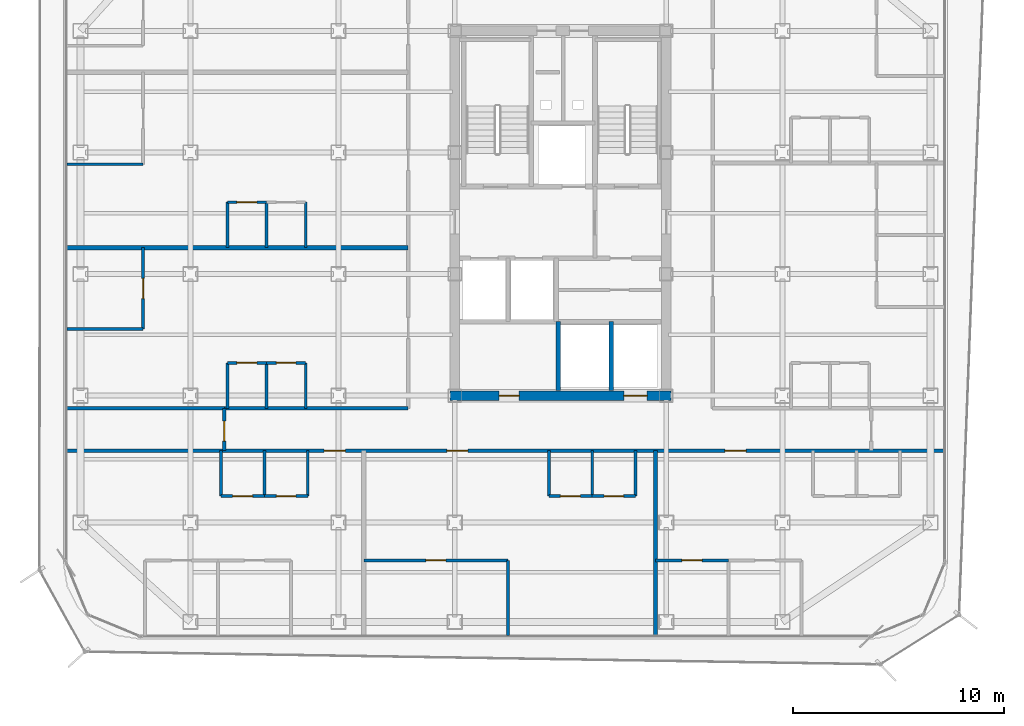
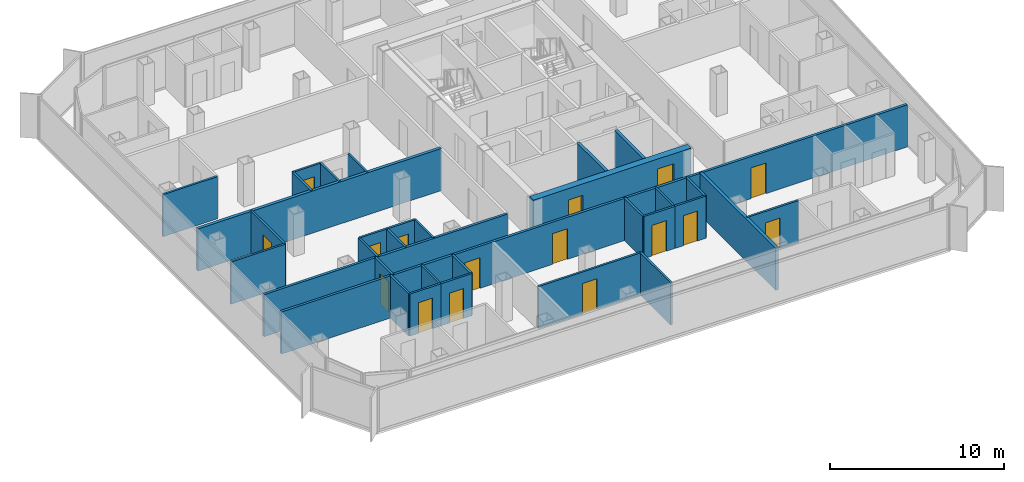
# One storey, part 10 of 16: 34 walls, 16 doors, 16 openings.
"""IFC4 building model written with IfcOpenShell, lengths in metres."""

import ifcopenshell
import ifcopenshell.guid

model = None  # the IFC model being written
_history = None  # IfcOwnerHistory: only IFC2X3 demands one
_inside = {}  # id of a spatial element -> (the spatial element, [elements in it])
_under = {}  # id of a project, library or spatial element -> (it, [spatial elements below it])
_declared = {}  # id of a project -> (the project, [libraries it declares])
_typed = {}  # id of a type object -> (the type object, [elements of that type])
_made_of = {}  # id of a material, layer set ... -> (it, [elements and type objects made of it])


def new_model(schema):
    """Start an empty IFC model of exactly this schema.

    Asked for "IFC4X3", IfcOpenShell would pick the latest addendum, in which some entities
    have other attributes; the version numbers below select the first issue.
    IFC2X3 requires an IfcOwnerHistory on every rooted entity: one is made here for all.
    """
    global model, _history
    if schema == "IFC4X3":
        model = ifcopenshell.file(schema_version=(4, 3, 0, 0))
    else:
        model = ifcopenshell.file(schema=schema)
    _inside.clear()
    _under.clear()
    _declared.clear()
    _typed.clear()
    _made_of.clear()
    _history = None
    if model.schema == "IFC2X3":
        org = make("IfcOrganization", Name="unknown")
        user = make(
            "IfcPersonAndOrganization",
            ThePerson=make("IfcPerson", FamilyName="unknown"),
            TheOrganization=org,
        )
        app = make(
            "IfcApplication",
            ApplicationDeveloper=org,
            Version="unknown",
            ApplicationFullName="unknown",
            ApplicationIdentifier="unknown",
        )
        _history = make(
            "IfcOwnerHistory",
            OwningUser=user,
            OwningApplication=app,
            ChangeAction="ADDED",
            CreationDate=0,
        )
    return model


def make(cls, **values):
    """One entity of the class cls with the attributes given. An attribute that is None is left unset."""
    return model.create_entity(
        cls, **{name: value for name, value in values.items() if value is not None}
    )


def rooted(cls, **values):
    """An entity with a GlobalId (a new one), such as an element, a storey or a relation."""
    return make(cls, GlobalId=ifcopenshell.guid.new(), OwnerHistory=_history, **values)


def si_unit(unit_type, name, prefix=None):
    """IfcSIUnit, for example si_unit("LENGTHUNIT", "METRE", prefix="MILLI")."""
    return make("IfcSIUnit", UnitType=unit_type, Prefix=prefix, Name=name)


def assignment(units):
    """IfcUnitAssignment: the units of a project."""
    return None if units is None else make("IfcUnitAssignment", Units=units)


def point(xyz):
    """IfcCartesianPoint."""
    return None if xyz is None else make("IfcCartesianPoint", Coordinates=xyz)


def direction(xyz):
    """IfcDirection."""
    return None if xyz is None else make("IfcDirection", DirectionRatios=xyz)


def frame(location, z_axis=None, x_axis=None):
    """IfcAxis2Placement3D, a coordinate frame: its origin and axes. An axis left out is left unset."""
    return make(
        "IfcAxis2Placement3D",
        Location=point(location),
        Axis=direction(z_axis),
        RefDirection=direction(x_axis),
    )


def frame_2d(location, x_axis=None):
    """IfcAxis2Placement2D, a coordinate frame in the plane: its origin and x axis."""
    return make(
        "IfcAxis2Placement2D", Location=point(location), RefDirection=direction(x_axis)
    )


def origin():
    """The frame at (0, 0, 0) with its axes left unset."""
    return frame((0.0, 0.0, 0.0))


def place(relative_to, where):
    """IfcLocalPlacement: puts the frame where relative to a parent placement (None: the world)."""
    return make(
        "IfcLocalPlacement", PlacementRelTo=relative_to, RelativePlacement=where
    )


def context(
    kind, dimensions, precision=None, world=None, true_north=None, identifier=None
):
    """IfcGeometricRepresentationContext, for example the 3D "Model" context."""
    return make(
        "IfcGeometricRepresentationContext",
        ContextIdentifier=identifier,
        ContextType=kind,
        CoordinateSpaceDimension=dimensions,
        Precision=precision,
        WorldCoordinateSystem=world,
        TrueNorth=true_north,
    )


def subcontext(parent, identifier, kind, view, scale=None):
    """IfcGeometricRepresentationSubContext, for example "Body" below "Model"."""
    return make(
        "IfcGeometricRepresentationSubContext",
        ContextIdentifier=identifier,
        ContextType=kind,
        ParentContext=parent,
        TargetScale=scale,
        TargetView=view,
    )


def project(units=None, contexts=None):
    """IfcProject with its units and contexts."""
    return rooted(
        "IfcProject",
        Name="project",
        RepresentationContexts=contexts,
        UnitsInContext=assignment(units),
    )


def spatial(cls, under=None, at=None, **own):
    """A site, building, storey or space (cls), placed at a placement, below another one or the project."""
    s = rooted(cls, ObjectPlacement=at, **own)
    if under is not None:
        _under.setdefault(under.id(), (under, []))[1].append(s)
    return s


def profile(cls, at=None, kind="AREA", **sizes):
    """A parametric profile (cls). Its sizes go by their IFC names, for example OverallWidth=200.0."""
    return make(cls, ProfileType=kind, Position=at, **sizes)


def rectangle(**sizes):
    """IfcRectangleProfileDef."""
    return profile("IfcRectangleProfileDef", **sizes)


def extrude(swept, where, along, depth):
    """IfcExtrudedAreaSolid: the profile swept, set in the frame where, extruded along a direction by depth."""
    return make(
        "IfcExtrudedAreaSolid",
        SweptArea=swept,
        Position=where,
        ExtrudedDirection=direction(along),
        Depth=depth,
    )


def shape(context_of_items, identifier, shape_type, items):
    """IfcShapeRepresentation: the items that make up one representation, for example the "Body"."""
    return make(
        "IfcShapeRepresentation",
        ContextOfItems=context_of_items,
        RepresentationIdentifier=identifier,
        RepresentationType=shape_type,
        Items=items,
    )


def material(Name=None, Category=None):
    """IfcMaterial."""
    return make("IfcMaterial", Name=Name, Category=Category)


def layer(
    of_material, thickness, ventilated=None, Name=None, Category=None, Priority=None
):
    """IfcMaterialLayer: one layer of a wall or slab, of a material (None: an air gap)."""
    return make(
        "IfcMaterialLayer",
        Material=of_material,
        LayerThickness=thickness,
        IsVentilated=ventilated,
        Name=Name,
        Category=Category,
        Priority=Priority,
    )


def layer_set(layers, Name=None):
    """IfcMaterialLayerSet."""
    return make("IfcMaterialLayerSet", MaterialLayers=layers, LayerSetName=Name)


def made_of(thing, what):
    """Note that an element or type object is made of a material, layer set ...; save() writes the relation."""
    if what is not None:
        _made_of.setdefault(what.id(), (what, []))[1].append(thing)
    return thing


def type_object(cls, material=None, **own):
    """A type object (cls), such as IfcWallType, which elements share."""
    return made_of(rooted(cls, **own), material)


def element(
    cls,
    number,
    at=None,
    inside=None,
    cuts=None,
    type_object=None,
    material=None,
    context=None,
    identifier="Body",
    shape_type=None,
    held_by="IfcProductDefinitionShape",
    body=None,
    shapes=None,
    **own,
):
    """One element of the class cls, such as IfcWall. Its Tag is "e" and its number.

    at: its placement. inside: the storey or other place that contains it. cuts: it is an
    opening in that element (IfcRelVoidsElement). A single representation is given by context,
    identifier, shape_type and body (its items); several are given by shapes. held_by: the class
    of the entity that holds the representations. save() writes the other relations.
    """
    e = rooted(cls, Tag="e%d" % number, ObjectPlacement=at, **own)
    if body is not None:
        shapes = [shape(context, identifier, shape_type, body)]
    if shapes is not None:
        e.Representation = make(held_by, Representations=shapes)
    if inside is not None:
        _inside.setdefault(inside.id(), (inside, []))[1].append(e)
    if cuts is not None:
        rooted(
            "IfcRelVoidsElement", RelatingBuildingElement=cuts, RelatedOpeningElement=e
        )
    if type_object is not None:
        _typed.setdefault(type_object.id(), (type_object, []))[1].append(e)
    return made_of(e, material)


def fill(opening, filler):
    """IfcRelFillsElement: the door or window that sits in an opening."""
    return rooted(
        "IfcRelFillsElement",
        RelatingOpeningElement=opening,
        RelatedBuildingElement=filler,
    )


def aggregate(whole, parts):
    """IfcRelAggregates: a whole, such as a stair, and the parts it consists of."""
    return rooted("IfcRelAggregates", RelatingObject=whole, RelatedObjects=parts)


def save(model, path):
    """Write the relations noted so far, then the file.

    IfcRelAggregates (storeys below a building ...), IfcRelContainedInSpatialStructure (elements
    in a storey), IfcRelDefinesByType, IfcRelAssociatesMaterial and IfcRelDeclares: one each for
    every whole, place, type object, material and project.
    """
    for whole, parts in _under.values():
        aggregate(whole, parts)
    for where, things in _inside.values():
        rooted(
            "IfcRelContainedInSpatialStructure",
            RelatedElements=things,
            RelatingStructure=where,
        )
    for kind, things in _typed.values():
        rooted("IfcRelDefinesByType", RelatedObjects=things, RelatingType=kind)
    for what, things in _made_of.values():
        rooted("IfcRelAssociatesMaterial", RelatedObjects=things, RelatingMaterial=what)
    for by, libraries in _declared.values():
        rooted("IfcRelDeclares", RelatingContext=by, RelatedDefinitions=libraries)
    model.write(path)


model = new_model("IFC4")

# Units and contexts
model_context = context("Model", 3, precision=1e-05, world=origin(), true_north=direction((0.0, 1.0)))
body_context = subcontext(model_context, "Body", "Model", "MODEL_VIEW")
ifc_project = project(units=[si_unit("LENGTHUNIT", "METRE"), si_unit("AREAUNIT", "SQUARE_METRE"), si_unit("VOLUMEUNIT", "CUBIC_METRE"), si_unit("PLANEANGLEUNIT", "RADIAN"), si_unit("MASSUNIT", "GRAM", prefix="KILO")], contexts=[model_context])

# Site, building, storey
site_placement = place(None, origin())
site = spatial("IfcSite", under=ifc_project, at=site_placement, CompositionType="ELEMENT")
building_placement = place(site_placement, origin())
building = spatial("IfcBuilding", under=site, at=building_placement, Name="Kolveth Station Tower", CompositionType="ELEMENT")
storey_placement = place(building_placement, frame((0.0, 0.0, 156.10009765625)))
storey = spatial("IfcBuildingStorey", under=building, at=storey_placement, Name="L43", CompositionType="ELEMENT", Elevation=156.10009765625)

# Wall, openings, doors
ifc_material_1 = material(Name="Concrete C50/60", Category="concrete")
ifc_layer_1 = layer(ifc_material_1, 0.449951171875)
ifc_layer_set_1 = layer_set([ifc_layer_1], Name="Concrete C50/60")
wall_type_1 = type_object("IfcWallType", Name="Wall_CW-450", PredefinedType="SHEAR", material=ifc_layer_set_1)
wall_1_placement = place(storey_placement, frame((18.27490234375, 11.5, 0.0), z_axis=(0.0, 0.0, 1.0), x_axis=(1.0, 0.0, 0.0)))
wall_1 = element("IfcWall", 1, at=wall_1_placement, inside=storey, type_object=wall_type_1, Name="L43 Core RC Shear Wall S", PredefinedType="SHEAR", context=body_context, shape_type="SweptSolid", body=[
    extrude(rectangle(XDim=10.4501953125, YDim=0.449951171875, at=frame_2d((5.22509765625, 0.0))), origin(), (0.0, 0.0, 1.0), 2.949951171875),
])
opening_1_placement = place(wall_1_placement, frame((2.324951171875, 0.0, 0.0)))
opening_1 = element("IfcOpeningElement", 2, at=opening_1_placement, cuts=wall_1, Name="Opening ID1", PredefinedType="OPENING", context=body_context, shape_type="SweptSolid", body=[
    extrude(rectangle(XDim=0.949951171875, YDim=2.14990234375, at=frame_2d((0.47509765625, 1.074951171875))), frame((0.0, 0.23486328125, 0.0), z_axis=(0.0, -1.0, 0.0), x_axis=(1.0, 0.0, 0.0)), (0.0, 0.0, 1.0), 0.469970703125),
])
opening_2_placement = place(wall_1_placement, frame((8.22509765625, 0.0, 0.0)))
opening_2 = element("IfcOpeningElement", 3, at=opening_2_placement, cuts=wall_1, Name="Opening LD1", PredefinedType="OPENING", context=body_context, shape_type="SweptSolid", body=[
    extrude(rectangle(XDim=1.10009765625, YDim=2.25, at=frame_2d((0.550048828125, 1.125))), frame((0.0, 0.23486328125, 0.0), z_axis=(0.0, -1.0, 0.0), x_axis=(1.0, 0.0, 0.0)), (0.0, 0.0, 1.0), 0.469970703125),
])
ifc_material_2 = material(Name="Acoustic hardwood leaf and aluminium frame", Category="wood")
door_type_1 = type_object("IfcDoorType", Name="Door_ID1", OperationType="NOTDEFINED", PredefinedType="DOOR", material=ifc_material_2)
door_1_placement = place(opening_1_placement, frame((0.949951171875, 0.0, 0.0), z_axis=(0.0, 0.0, 1.0), x_axis=(-1.0, 0.0, 0.0)))
door_1 = element("IfcDoor", 4, at=door_1_placement, inside=storey, type_object=door_type_1, Name="L43 Hotel Pantry Door", OperationType="SINGLE_SWING_LEFT", OverallHeight=2.14990234375, OverallWidth=0.949951171875, PredefinedType="DOOR", context=body_context, shape_type="SweptSolid", body=[
    extrude(rectangle(XDim=0.949951171875, YDim=2.14990234375, at=frame_2d((0.47509765625, 1.074951171875))), frame((0.0, 0.02490234375, 0.0), z_axis=(0.0, -1.0, 0.0), x_axis=(1.0, 0.0, 0.0)), (0.0, 0.0, 1.0), 0.050048828125),
])
fill(opening_1, door_1)
ifc_material_3 = material(Name="Brushed stainless steel sliding landing doors", Category="steel")
door_type_2 = type_object("IfcDoorType", Name="Door_LD1", OperationType="NOTDEFINED", PredefinedType="DOOR", material=ifc_material_3)
door_2_placement = place(opening_2_placement, frame((1.10009765625, 0.0, 0.0), z_axis=(0.0, 0.0, 1.0), x_axis=(-1.0, 0.0, 0.0)))
door_2 = element("IfcDoor", 5, at=door_2_placement, inside=storey, type_object=door_type_2, Name="L43 Lift PH1 Landing Door", OperationType="DOUBLE_DOOR_SLIDING", OverallHeight=2.25, OverallWidth=1.10009765625, PredefinedType="DOOR", context=body_context, shape_type="SweptSolid", body=[
    extrude(rectangle(XDim=1.10009765625, YDim=2.25, at=frame_2d((0.550048828125, 1.125))), frame((0.0, 0.02490234375, 0.0), z_axis=(0.0, -1.0, 0.0), x_axis=(1.0, 0.0, 0.0)), (0.0, 0.0, 1.0), 0.050048828125),
])
fill(opening_2, door_2)

# Wall, opening, door
ifc_material_4 = material(Name="Moisture-resistant gypsum partition")
ifc_layer_2 = layer(ifc_material_4, 0.135009765625)
ifc_layer_set_2 = layer_set([ifc_layer_2], Name="Moisture-resistant gypsum partition")
wall_type_2 = type_object("IfcWallType", Name="Wall_IW-135", PredefinedType="PARTITIONING", material=ifc_layer_set_2)
wall_2_placement = place(storey_placement, frame((7.449951171875, 6.75, 0.0), z_axis=(0.0, 0.0, 1.0), x_axis=(1.0, 0.0, 0.0)))
wall_2 = element("IfcWall", 6, at=wall_2_placement, inside=storey, type_object=wall_type_2, Name="L43 Partition Wall WL-L43-A1-IBHK", PredefinedType="PARTITIONING", context=body_context, shape_type="SweptSolid", body=[
    extrude(rectangle(XDim=2.050048828125, YDim=0.135009765625, at=frame_2d((1.02490234375, 0.0))), origin(), (0.0, 0.0, 1.0), 2.949951171875),
])
opening_3_placement = place(wall_2_placement, frame((0.544921875, 0.0, 0.0)))
opening_3 = element("IfcOpeningElement", 7, at=opening_3_placement, cuts=wall_2, Name="Opening ID1", PredefinedType="OPENING", context=body_context, shape_type="SweptSolid", body=[
    extrude(rectangle(XDim=0.949951171875, YDim=2.14990234375, at=frame_2d((0.47509765625, 1.074951171875))), frame((0.0, 0.077392578125, 0.0), z_axis=(0.0, -1.0, 0.0), x_axis=(1.0, 0.0, 0.0)), (0.0, 0.0, 1.0), 0.155029296875),
])
door_3_placement = place(opening_3_placement, origin())
door_3 = element("IfcDoor", 8, at=door_3_placement, inside=storey, type_object=door_type_1, Name="Penthouse Flat L43-A1 Kitchen Door", OperationType="SINGLE_SWING_RIGHT", OverallHeight=2.14990234375, OverallWidth=0.949951171875, PredefinedType="DOOR", context=body_context, shape_type="SweptSolid", body=[
    extrude(rectangle(XDim=0.949951171875, YDim=2.14990234375, at=frame_2d((0.47509765625, 1.074951171875))), frame((0.0, 0.02490234375, 0.0), z_axis=(0.0, -1.0, 0.0), x_axis=(1.0, 0.0, 0.0)), (0.0, 0.0, 1.0), 0.050048828125),
])
fill(opening_3, door_3)

wall_3_placement = place(storey_placement, frame((9.5, 6.75, 0.0), z_axis=(0.0, 0.0, 1.0), x_axis=(1.0, 0.0, 0.0)))
wall_3 = element("IfcWall", 9, at=wall_3_placement, inside=storey, type_object=wall_type_2, Name="L43 Partition Wall WL-L43-A1-IBHB", PredefinedType="PARTITIONING", context=body_context, shape_type="SweptSolid", body=[
    extrude(rectangle(XDim=2.050048828125, YDim=0.135009765625, at=frame_2d((1.02490234375, 0.0))), origin(), (0.0, 0.0, 1.0), 2.949951171875),
])
opening_4_placement = place(wall_3_placement, frame((0.56494140625, 0.0, 0.0)))
opening_4 = element("IfcOpeningElement", 10, at=opening_4_placement, cuts=wall_3, Name="Opening ID2", PredefinedType="OPENING", context=body_context, shape_type="SweptSolid", body=[
    extrude(rectangle(XDim=0.919921875, YDim=2.10009765625, at=frame_2d((0.4599609375, 1.050048828125))), frame((0.0, 0.077392578125, 0.0), z_axis=(0.0, -1.0, 0.0), x_axis=(1.0, 0.0, 0.0)), (0.0, 0.0, 1.0), 0.155029296875),
])
ifc_material_5 = material(Name="Moisture-resistant hardwood leaf", Category="wood")
door_type_3 = type_object("IfcDoorType", Name="Door_ID2", OperationType="NOTDEFINED", PredefinedType="DOOR", material=ifc_material_5)
door_4_placement = place(opening_4_placement, origin())
door_4 = element("IfcDoor", 11, at=door_4_placement, inside=storey, type_object=door_type_3, Name="Penthouse Flat L43-A1 Bathroom Door", OperationType="SINGLE_SWING_LEFT", OverallHeight=2.10009765625, OverallWidth=0.919921875, PredefinedType="DOOR", context=body_context, shape_type="SweptSolid", body=[
    extrude(rectangle(XDim=0.919921875, YDim=2.10009765625, at=frame_2d((0.4599609375, 1.050048828125))), frame((0.0, 0.02490234375, 0.0), z_axis=(0.0, -1.0, 0.0), x_axis=(1.0, 0.0, 0.0)), (0.0, 0.0, 1.0), 0.050048828125),
])
fill(opening_4, door_4)

# Walls
for number, where, z_axis, x_axis, name in (
    (12, (7.449951171875, 6.75, 0.0), (0.0, 0.0, 1.0), (0.0, 1.0, 0.0), "L43 Partition Wall WL-L43-A1-IBV0"),
    (13, (9.5, 6.75, 0.0), (0.0, 0.0, 1.0), (0.0, 1.0, 0.0), "L43 Partition Wall WL-L43-A1-IBV1"),
    (14, (11.550048828125, 6.75, 0.0), (0.0, 0.0, 1.0), (0.0, 1.0, 0.0), "L43 Partition Wall WL-L43-A1-IBV2"),
):
    element("IfcWall", number, at=place(storey_placement, frame(where, z_axis=z_axis, x_axis=x_axis)), inside=storey, type_object=wall_type_2, Name=name, PredefinedType="PARTITIONING", context=body_context, shape_type="SweptSolid", body=[
        extrude(rectangle(XDim=2.14990234375, YDim=0.135009765625, at=frame_2d((1.074951171875, 0.0))), origin(), (0.0, 0.0, 1.0), 2.949951171875),
    ])

# Wall, opening, door
wall_4_placement = place(storey_placement, frame((22.949951171875, 6.75, 0.0), z_axis=(0.0, 0.0, 1.0), x_axis=(1.0, 0.0, 0.0)))
wall_4 = element("IfcWall", 15, at=wall_4_placement, inside=storey, type_object=wall_type_2, Name="L43 Partition Wall WL-L43-A2-IBHK", PredefinedType="PARTITIONING", context=body_context, shape_type="SweptSolid", body=[
    extrude(rectangle(XDim=2.050048828125, YDim=0.135009765625, at=frame_2d((1.02490234375, 0.0))), origin(), (0.0, 0.0, 1.0), 2.949951171875),
])
opening_5_placement = place(wall_4_placement, frame((0.544921875, 0.0, 0.0)))
opening_5 = element("IfcOpeningElement", 16, at=opening_5_placement, cuts=wall_4, Name="Opening ID1", PredefinedType="OPENING", context=body_context, shape_type="SweptSolid", body=[
    extrude(rectangle(XDim=0.949951171875, YDim=2.14990234375, at=frame_2d((0.47509765625, 1.074951171875))), frame((0.0, 0.077392578125, 0.0), z_axis=(0.0, -1.0, 0.0), x_axis=(1.0, 0.0, 0.0)), (0.0, 0.0, 1.0), 0.155029296875),
])
door_5_placement = place(opening_5_placement, origin())
door_5 = element("IfcDoor", 17, at=door_5_placement, inside=storey, type_object=door_type_1, Name="Penthouse Flat L43-A2 Kitchen Door", OperationType="SINGLE_SWING_LEFT", OverallHeight=2.14990234375, OverallWidth=0.949951171875, PredefinedType="DOOR", context=body_context, shape_type="SweptSolid", body=[
    extrude(rectangle(XDim=0.949951171875, YDim=2.14990234375, at=frame_2d((0.47509765625, 1.074951171875))), frame((0.0, 0.02490234375, 0.0), z_axis=(0.0, -1.0, 0.0), x_axis=(1.0, 0.0, 0.0)), (0.0, 0.0, 1.0), 0.050048828125),
])
fill(opening_5, door_5)

wall_5_placement = place(storey_placement, frame((25.0, 6.75, 0.0), z_axis=(0.0, 0.0, 1.0), x_axis=(1.0, 0.0, 0.0)))
wall_5 = element("IfcWall", 18, at=wall_5_placement, inside=storey, type_object=wall_type_2, Name="L43 Partition Wall WL-L43-A2-IBHB", PredefinedType="PARTITIONING", context=body_context, shape_type="SweptSolid", body=[
    extrude(rectangle(XDim=2.050048828125, YDim=0.135009765625, at=frame_2d((1.02490234375, 0.0))), origin(), (0.0, 0.0, 1.0), 2.949951171875),
])
opening_6_placement = place(wall_5_placement, frame((0.56494140625, 0.0, 0.0)))
opening_6 = element("IfcOpeningElement", 19, at=opening_6_placement, cuts=wall_5, Name="Opening ID2", PredefinedType="OPENING", context=body_context, shape_type="SweptSolid", body=[
    extrude(rectangle(XDim=0.919921875, YDim=2.10009765625, at=frame_2d((0.4599609375, 1.050048828125))), frame((0.0, 0.077392578125, 0.0), z_axis=(0.0, -1.0, 0.0), x_axis=(1.0, 0.0, 0.0)), (0.0, 0.0, 1.0), 0.155029296875),
])
door_6_placement = place(opening_6_placement, origin())
door_6 = element("IfcDoor", 20, at=door_6_placement, inside=storey, type_object=door_type_3, Name="Penthouse Flat L43-A2 Bathroom Door", OperationType="SINGLE_SWING_RIGHT", OverallHeight=2.10009765625, OverallWidth=0.919921875, PredefinedType="DOOR", context=body_context, shape_type="SweptSolid", body=[
    extrude(rectangle(XDim=0.919921875, YDim=2.10009765625, at=frame_2d((0.4599609375, 1.050048828125))), frame((0.0, 0.02490234375, 0.0), z_axis=(0.0, -1.0, 0.0), x_axis=(1.0, 0.0, 0.0)), (0.0, 0.0, 1.0), 0.050048828125),
])
fill(opening_6, door_6)

# Walls
for number, where, z_axis, x_axis, name in (
    (21, (22.949951171875, 6.75, 0.0), (0.0, 0.0, 1.0), (0.0, 1.0, 0.0), "L43 Partition Wall WL-L43-A2-IBV0"),
    (22, (25.0, 6.75, 0.0), (0.0, 0.0, 1.0), (0.0, 1.0, 0.0), "L43 Partition Wall WL-L43-A2-IBV1"),
    (23, (27.050048828125, 6.75, 0.0), (0.0, 0.0, 1.0), (0.0, 1.0, 0.0), "L43 Partition Wall WL-L43-A2-IBV2"),
):
    element("IfcWall", number, at=place(storey_placement, frame(where, z_axis=z_axis, x_axis=x_axis)), inside=storey, type_object=wall_type_2, Name=name, PredefinedType="PARTITIONING", context=body_context, shape_type="SweptSolid", body=[
        extrude(rectangle(XDim=2.14990234375, YDim=0.135009765625, at=frame_2d((1.074951171875, 0.0))), origin(), (0.0, 0.0, 1.0), 2.949951171875),
    ])
wall_6_placement = place(storey_placement, frame((21.02001953125, 0.159912109375, 0.0), z_axis=(0.0, 0.0, 1.0), x_axis=(0.0, 1.0, 0.0)))
element("IfcWall", 24, at=wall_6_placement, inside=storey, type_object=wall_type_2, Name="L43 Partition Wall WL-L43-A2-BDVE", PredefinedType="PARTITIONING", context=body_context, shape_type="SweptSolid", body=[
    extrude(rectangle(XDim=3.550048828125, YDim=0.135009765625, at=frame_2d((1.77490234375, 0.0))), origin(), (0.0, 0.0, 1.0), 2.949951171875),
])

# Wall, opening, door
wall_7_placement = place(storey_placement, frame((14.199951171875, 3.7099609375, 0.0), z_axis=(0.0, 0.0, 1.0), x_axis=(1.0, 0.0, 0.0)))
wall_7 = element("IfcWall", 25, at=wall_7_placement, inside=storey, type_object=wall_type_2, Name="L43 Partition Wall WL-L43-A2-BDH1", PredefinedType="PARTITIONING", context=body_context, shape_type="SweptSolid", body=[
    extrude(rectangle(XDim=6.820068359375, YDim=0.135009765625, at=frame_2d((3.41015625, 0.0))), origin(), (0.0, 0.0, 1.0), 2.949951171875),
])
opening_7_placement = place(wall_7_placement, frame((2.929931640625, 0.0, 0.0)))
opening_7 = element("IfcOpeningElement", 26, at=opening_7_placement, cuts=wall_7, Name="Opening ID1", PredefinedType="OPENING", context=body_context, shape_type="SweptSolid", body=[
    extrude(rectangle(XDim=0.949951171875, YDim=2.14990234375, at=frame_2d((0.47509765625, 1.074951171875))), frame((0.0, 0.077392578125, 0.0), z_axis=(0.0, -1.0, 0.0), x_axis=(1.0, 0.0, 0.0)), (0.0, 0.0, 1.0), 0.155029296875),
])
door_7_placement = place(opening_7_placement, frame((0.949951171875, 0.0, 0.0), z_axis=(0.0, 0.0, 1.0), x_axis=(-1.0, 0.0, 0.0)))
door_7 = element("IfcDoor", 27, at=door_7_placement, inside=storey, type_object=door_type_1, Name="Penthouse Flat L43-A2 Bedroom 1 Door", OperationType="SINGLE_SWING_LEFT", OverallHeight=2.14990234375, OverallWidth=0.949951171875, PredefinedType="DOOR", context=body_context, shape_type="SweptSolid", body=[
    extrude(rectangle(XDim=0.949951171875, YDim=2.14990234375, at=frame_2d((0.47509765625, 1.074951171875))), frame((0.0, 0.02490234375, 0.0), z_axis=(0.0, -1.0, 0.0), x_axis=(1.0, 0.0, 0.0)), (0.0, 0.0, 1.0), 0.050048828125),
])
fill(opening_7, door_7)

wall_8_placement = place(storey_placement, frame((28.0, 3.7099609375, 0.0), z_axis=(0.0, 0.0, 1.0), x_axis=(1.0, 0.0, 0.0)))
wall_8 = element("IfcWall", 28, at=wall_8_placement, inside=storey, type_object=wall_type_2, Name="L43 Partition Wall WL-L43-A3-BDH1", PredefinedType="PARTITIONING", context=body_context, shape_type="SweptSolid", body=[
    extrude(rectangle(XDim=3.449951171875, YDim=0.135009765625, at=frame_2d((1.72509765625, 0.0))), origin(), (0.0, 0.0, 1.0), 2.949951171875),
])
opening_8_placement = place(wall_8_placement, frame((1.2451171875, 0.0, 0.0)))
opening_8 = element("IfcOpeningElement", 29, at=opening_8_placement, cuts=wall_8, Name="Opening ID1", PredefinedType="OPENING", context=body_context, shape_type="SweptSolid", body=[
    extrude(rectangle(XDim=0.949951171875, YDim=2.14990234375, at=frame_2d((0.47509765625, 1.074951171875))), frame((0.0, 0.077392578125, 0.0), z_axis=(0.0, -1.0, 0.0), x_axis=(1.0, 0.0, 0.0)), (0.0, 0.0, 1.0), 0.155029296875),
])
door_8_placement = place(opening_8_placement, frame((0.949951171875, 0.0, 0.0), z_axis=(0.0, 0.0, 1.0), x_axis=(-1.0, 0.0, 0.0)))
door_8 = element("IfcDoor", 30, at=door_8_placement, inside=storey, type_object=door_type_1, Name="Penthouse Flat L43-A3 Bedroom 1 Door", OperationType="SINGLE_SWING_LEFT", OverallHeight=2.14990234375, OverallWidth=0.949951171875, PredefinedType="DOOR", context=body_context, shape_type="SweptSolid", body=[
    extrude(rectangle(XDim=0.949951171875, YDim=2.14990234375, at=frame_2d((0.47509765625, 1.074951171875))), frame((0.0, 0.02490234375, 0.0), z_axis=(0.0, -1.0, 0.0), x_axis=(1.0, 0.0, 0.0)), (0.0, 0.0, 1.0), 0.050048828125),
])
fill(opening_8, door_8)

wall_9_placement = place(storey_placement, frame((7.75, 13.050048828125, 0.0), z_axis=(0.0, 0.0, 1.0), x_axis=(1.0, 0.0, 0.0)))
wall_9 = element("IfcWall", 31, at=wall_9_placement, inside=storey, type_object=wall_type_2, Name="L43 Partition Wall WL-L43-W1-IBHK", PredefinedType="PARTITIONING", context=body_context, shape_type="SweptSolid", body=[
    extrude(rectangle(XDim=1.85009765625, YDim=0.135009765625, at=frame_2d((0.925048828125, 0.0))), origin(), (0.0, 0.0, 1.0), 2.949951171875),
])
opening_9_placement = place(wall_9_placement, frame((0.445068359375, 0.0, 0.0)))
opening_9 = element("IfcOpeningElement", 32, at=opening_9_placement, cuts=wall_9, Name="Opening ID1", PredefinedType="OPENING", context=body_context, shape_type="SweptSolid", body=[
    extrude(rectangle(XDim=0.949951171875, YDim=2.14990234375, at=frame_2d((0.47509765625, 1.074951171875))), frame((0.0, 0.077392578125, 0.0), z_axis=(0.0, -1.0, 0.0), x_axis=(1.0, 0.0, 0.0)), (0.0, 0.0, 1.0), 0.155029296875),
])
door_9_placement = place(opening_9_placement, origin())
door_9 = element("IfcDoor", 33, at=door_9_placement, inside=storey, type_object=door_type_1, Name="Penthouse Flat L43-W1 Kitchen Door", OperationType="SINGLE_SWING_RIGHT", OverallHeight=2.14990234375, OverallWidth=0.949951171875, PredefinedType="DOOR", context=body_context, shape_type="SweptSolid", body=[
    extrude(rectangle(XDim=0.949951171875, YDim=2.14990234375, at=frame_2d((0.47509765625, 1.074951171875))), frame((0.0, 0.02490234375, 0.0), z_axis=(0.0, -1.0, 0.0), x_axis=(1.0, 0.0, 0.0)), (0.0, 0.0, 1.0), 0.050048828125),
])
fill(opening_9, door_9)

wall_10_placement = place(storey_placement, frame((9.60009765625, 13.050048828125, 0.0), z_axis=(0.0, 0.0, 1.0), x_axis=(1.0, 0.0, 0.0)))
wall_10 = element("IfcWall", 34, at=wall_10_placement, inside=storey, type_object=wall_type_2, Name="L43 Partition Wall WL-L43-W1-IBHB", PredefinedType="PARTITIONING", context=body_context, shape_type="SweptSolid", body=[
    extrude(rectangle(XDim=1.849853515625, YDim=0.135009765625, at=frame_2d((0.9248046875, 0.0))), origin(), (0.0, 0.0, 1.0), 2.949951171875),
])
opening_10_placement = place(wall_10_placement, frame((0.465087890625, 0.0, 0.0)))
opening_10 = element("IfcOpeningElement", 35, at=opening_10_placement, cuts=wall_10, Name="Opening ID2", PredefinedType="OPENING", context=body_context, shape_type="SweptSolid", body=[
    extrude(rectangle(XDim=0.919921875, YDim=2.10009765625, at=frame_2d((0.4599609375, 1.050048828125))), frame((0.0, 0.077392578125, 0.0), z_axis=(0.0, -1.0, 0.0), x_axis=(1.0, 0.0, 0.0)), (0.0, 0.0, 1.0), 0.155029296875),
])
door_10_placement = place(opening_10_placement, origin())
door_10 = element("IfcDoor", 36, at=door_10_placement, inside=storey, type_object=door_type_3, Name="Penthouse Flat L43-W1 Bathroom Door", OperationType="SINGLE_SWING_LEFT", OverallHeight=2.10009765625, OverallWidth=0.919921875, PredefinedType="DOOR", context=body_context, shape_type="SweptSolid", body=[
    extrude(rectangle(XDim=0.919921875, YDim=2.10009765625, at=frame_2d((0.4599609375, 1.050048828125))), frame((0.0, 0.02490234375, 0.0), z_axis=(0.0, -1.0, 0.0), x_axis=(1.0, 0.0, 0.0)), (0.0, 0.0, 1.0), 0.050048828125),
])
fill(opening_10, door_10)

# Walls
for number, where, z_axis, x_axis, name in (
    (37, (7.75, 10.89990234375, 0.0), (0.0, 0.0, 1.0), (0.0, 1.0, 0.0), "L43 Partition Wall WL-L43-W1-IBV0"),
    (38, (9.60009765625, 10.89990234375, 0.0), (0.0, 0.0, 1.0), (0.0, 1.0, 0.0), "L43 Partition Wall WL-L43-W1-IBV1"),
    (39, (11.449951171875, 10.89990234375, 0.0), (0.0, 0.0, 1.0), (0.0, 1.0, 0.0), "L43 Partition Wall WL-L43-W1-IBV2"),
):
    element("IfcWall", number, at=place(storey_placement, frame(where, z_axis=z_axis, x_axis=x_axis)), inside=storey, type_object=wall_type_2, Name=name, PredefinedType="PARTITIONING", context=body_context, shape_type="SweptSolid", body=[
        extrude(rectangle(XDim=2.150146484375, YDim=0.135009765625, at=frame_2d((1.0751953125, 0.0))), origin(), (0.0, 0.0, 1.0), 2.949951171875),
    ])
wall_11_placement = place(storey_placement, frame((0.159912109375, 14.64794921875, 0.0), z_axis=(0.0, 0.0, 1.0), x_axis=(1.0, 0.0, 0.0)))
element("IfcWall", 40, at=wall_11_placement, inside=storey, type_object=wall_type_2, Name="L43 Partition Wall WL-L43-W1-BDH0", PredefinedType="PARTITIONING", context=body_context, shape_type="SweptSolid", body=[
    extrude(rectangle(XDim=3.60009765625, YDim=0.135009765625, at=frame_2d((1.800048828125, 0.0))), origin(), (0.0, 0.0, 1.0), 2.949951171875),
])

# Wall, opening, door
wall_12_placement = place(storey_placement, frame((3.760009765625, 14.64794921875, 0.0), z_axis=(0.0, 0.0, 1.0), x_axis=(0.0, 1.0, 0.0)))
wall_12 = element("IfcWall", 41, at=wall_12_placement, inside=storey, type_object=wall_type_2, Name="L43 Partition Wall WL-L43-W1-BDV1", PredefinedType="PARTITIONING", context=body_context, shape_type="SweptSolid", body=[
    extrude(rectangle(XDim=3.85205078125, YDim=0.135009765625, at=frame_2d((1.926025390625, 0.0))), origin(), (0.0, 0.0, 1.0), 2.949951171875),
])
opening_11_placement = place(wall_12_placement, frame((1.446044921875, 0.0, 0.0)))
opening_11 = element("IfcOpeningElement", 42, at=opening_11_placement, cuts=wall_12, Name="Opening ID1", PredefinedType="OPENING", context=body_context, shape_type="SweptSolid", body=[
    extrude(rectangle(XDim=0.949951171875, YDim=2.14990234375, at=frame_2d((0.47509765625, 1.074951171875))), frame((0.0, 0.077392578125, 0.0), z_axis=(0.0, -1.0, 0.0), x_axis=(1.0, 0.0, 0.0)), (0.0, 0.0, 1.0), 0.155029296875),
])
door_11_placement = place(opening_11_placement, origin())
door_11 = element("IfcDoor", 43, at=door_11_placement, inside=storey, type_object=door_type_1, Name="Penthouse Flat L43-W1 Bedroom 1 Door", OperationType="SINGLE_SWING_RIGHT", OverallHeight=2.14990234375, OverallWidth=0.949951171875, PredefinedType="DOOR", context=body_context, shape_type="SweptSolid", body=[
    extrude(rectangle(XDim=0.949951171875, YDim=2.14990234375, at=frame_2d((0.47509765625, 1.074951171875))), frame((0.0, 0.02490234375, 0.0), z_axis=(0.0, -1.0, 0.0), x_axis=(1.0, 0.0, 0.0)), (0.0, 0.0, 1.0), 0.050048828125),
])
fill(opening_11, door_11)

wall_13_placement = place(storey_placement, frame((7.75, 20.64990234375, 0.0), z_axis=(0.0, 0.0, 1.0), x_axis=(1.0, 0.0, 0.0)))
wall_13 = element("IfcWall", 44, at=wall_13_placement, inside=storey, type_object=wall_type_2, Name="L43 Partition Wall WL-L43-W2-IBHK", PredefinedType="PARTITIONING", context=body_context, shape_type="SweptSolid", body=[
    extrude(rectangle(XDim=1.85009765625, YDim=0.135009765625, at=frame_2d((0.925048828125, 0.0))), origin(), (0.0, 0.0, 1.0), 2.949951171875),
])
opening_12_placement = place(wall_13_placement, frame((0.445068359375, 0.0, 0.0)))
opening_12 = element("IfcOpeningElement", 45, at=opening_12_placement, cuts=wall_13, Name="Opening ID1", PredefinedType="OPENING", context=body_context, shape_type="SweptSolid", body=[
    extrude(rectangle(XDim=0.949951171875, YDim=2.14990234375, at=frame_2d((0.47509765625, 1.074951171875))), frame((0.0, 0.077392578125, 0.0), z_axis=(0.0, -1.0, 0.0), x_axis=(1.0, 0.0, 0.0)), (0.0, 0.0, 1.0), 0.155029296875),
])
door_12_placement = place(opening_12_placement, origin())
door_12 = element("IfcDoor", 46, at=door_12_placement, inside=storey, type_object=door_type_1, Name="Penthouse Flat L43-W2 Kitchen Door", OperationType="SINGLE_SWING_RIGHT", OverallHeight=2.14990234375, OverallWidth=0.949951171875, PredefinedType="DOOR", context=body_context, shape_type="SweptSolid", body=[
    extrude(rectangle(XDim=0.949951171875, YDim=2.14990234375, at=frame_2d((0.47509765625, 1.074951171875))), frame((0.0, 0.02490234375, 0.0), z_axis=(0.0, -1.0, 0.0), x_axis=(1.0, 0.0, 0.0)), (0.0, 0.0, 1.0), 0.050048828125),
])
fill(opening_12, door_12)

# Walls
for number, where, z_axis, x_axis, name in (
    (47, (7.75, 18.5, 0.0), (0.0, 0.0, 1.0), (0.0, 1.0, 0.0), "L43 Partition Wall WL-L43-W2-IBV0"),
    (48, (9.60009765625, 18.5, 0.0), (0.0, 0.0, 1.0), (0.0, 1.0, 0.0), "L43 Partition Wall WL-L43-W2-IBV1"),
    (49, (11.449951171875, 18.5, 0.0), (0.0, 0.0, 1.0), (0.0, 1.0, 0.0), "L43 Partition Wall WL-L43-W2-IBV2"),
):
    element("IfcWall", number, at=place(storey_placement, frame(where, z_axis=z_axis, x_axis=x_axis)), inside=storey, type_object=wall_type_2, Name=name, PredefinedType="PARTITIONING", context=body_context, shape_type="SweptSolid", body=[
        extrude(rectangle(XDim=2.14990234375, YDim=0.135009765625, at=frame_2d((1.074951171875, 0.0))), origin(), (0.0, 0.0, 1.0), 2.949951171875),
    ])
wall_14_placement = place(storey_placement, frame((0.159912109375, 22.444091796875, 0.0), z_axis=(0.0, 0.0, 1.0), x_axis=(1.0, 0.0, 0.0)))
element("IfcWall", 50, at=wall_14_placement, inside=storey, type_object=wall_type_2, Name="L43 Partition Wall WL-L43-W2-BDH0", PredefinedType="PARTITIONING", context=body_context, shape_type="SweptSolid", body=[
    extrude(rectangle(XDim=3.60009765625, YDim=0.135009765625, at=frame_2d((1.800048828125, 0.0))), origin(), (0.0, 0.0, 1.0), 2.949951171875),
])

# Wall, openings, doors
ifc_material_6 = material(Name="Acoustic double-stud gypsum partition")
ifc_layer_3 = layer(ifc_material_6, 0.1650390625)
ifc_layer_set_3 = layer_set([ifc_layer_3], Name="Acoustic double-stud gypsum partition")
wall_type_3 = type_object("IfcWallType", Name="Wall_IW-165", PredefinedType="PARTITIONING", material=ifc_layer_set_3)
wall_15_placement = place(storey_placement, frame((0.159912109375, 8.89990234375, 0.0), z_axis=(0.0, 0.0, 1.0), x_axis=(1.0, 0.0, 0.0)))
wall_15 = element("IfcWall", 51, at=wall_15_placement, inside=storey, type_object=wall_type_3, Name="L43 Partition Wall WL-L43-RS", PredefinedType="PARTITIONING", context=body_context, shape_type="SweptSolid", body=[
    extrude(rectangle(XDim=41.47998046875, YDim=0.1650390625, at=frame_2d((20.739990234375, 0.0))), origin(), (0.0, 0.0, 1.0), 2.949951171875),
])
opening_13_placement = place(wall_15_placement, frame((12.1650390625, 0.0, 0.0)))
opening_13 = element("IfcOpeningElement", 52, at=opening_13_placement, cuts=wall_15, Name="Opening FD3", PredefinedType="OPENING", context=body_context, shape_type="SweptSolid", body=[
    extrude(rectangle(XDim=1.0, YDim=2.14990234375, at=frame_2d((0.5, 1.074951171875))), frame((0.0, 0.092529296875, 0.0), z_axis=(0.0, -1.0, 0.0), x_axis=(1.0, 0.0, 0.0)), (0.0, 0.0, 1.0), 0.18505859375),
])
opening_14_placement = place(wall_15_placement, frame((17.965087890625, 0.0, 0.0)))
opening_14 = element("IfcOpeningElement", 53, at=opening_14_placement, cuts=wall_15, Name="Opening FD3", PredefinedType="OPENING", context=body_context, shape_type="SweptSolid", body=[
    extrude(rectangle(XDim=1.0, YDim=2.14990234375, at=frame_2d((0.5, 1.074951171875))), frame((0.0, 0.092529296875, 0.0), z_axis=(0.0, -1.0, 0.0), x_axis=(1.0, 0.0, 0.0)), (0.0, 0.0, 1.0), 0.18505859375),
])
opening_15_placement = place(wall_15_placement, frame((31.114990234375, 0.0, 0.0)))
opening_15 = element("IfcOpeningElement", 54, at=opening_15_placement, cuts=wall_15, Name="Opening FD3", PredefinedType="OPENING", context=body_context, shape_type="SweptSolid", body=[
    extrude(rectangle(XDim=1.0, YDim=2.14990234375, at=frame_2d((0.5, 1.074951171875))), frame((0.0, 0.092529296875, 0.0), z_axis=(0.0, -1.0, 0.0), x_axis=(1.0, 0.0, 0.0)), (0.0, 0.0, 1.0), 0.18505859375),
])
ifc_material_7 = material(Name="Fire-rated hardwood leaf and aluminium frame", Category="wood")
door_type_4 = type_object("IfcDoorType", Name="Door_FD3", OperationType="NOTDEFINED", PredefinedType="DOOR", material=ifc_material_7)
door_13_placement = place(opening_13_placement, frame((1.0, 0.0, 0.0), z_axis=(0.0, 0.0, 1.0), x_axis=(-1.0, 0.0, 0.0)))
door_13 = element("IfcDoor", 55, at=door_13_placement, inside=storey, type_object=door_type_4, Name="Penthouse Flat L43-A1 Entrance Door", OperationType="SINGLE_SWING_LEFT", OverallHeight=2.14990234375, OverallWidth=1.0, PredefinedType="DOOR", context=body_context, shape_type="SweptSolid", body=[
    extrude(rectangle(XDim=1.0, YDim=2.14990234375, at=frame_2d((0.5, 1.074951171875))), frame((0.0, 0.02490234375, 0.0), z_axis=(0.0, -1.0, 0.0), x_axis=(1.0, 0.0, 0.0)), (0.0, 0.0, 1.0), 0.050048828125),
])
fill(opening_13, door_13)
door_14_placement = place(opening_14_placement, frame((1.0, 0.0, 0.0), z_axis=(0.0, 0.0, 1.0), x_axis=(-1.0, 0.0, 0.0)))
door_14 = element("IfcDoor", 56, at=door_14_placement, inside=storey, type_object=door_type_4, Name="Penthouse Flat L43-A2 Entrance Door", OperationType="SINGLE_SWING_RIGHT", OverallHeight=2.14990234375, OverallWidth=1.0, PredefinedType="DOOR", context=body_context, shape_type="SweptSolid", body=[
    extrude(rectangle(XDim=1.0, YDim=2.14990234375, at=frame_2d((0.5, 1.074951171875))), frame((0.0, 0.02490234375, 0.0), z_axis=(0.0, -1.0, 0.0), x_axis=(1.0, 0.0, 0.0)), (0.0, 0.0, 1.0), 0.050048828125),
])
fill(opening_14, door_14)
door_15_placement = place(opening_15_placement, frame((1.0, 0.0, 0.0), z_axis=(0.0, 0.0, 1.0), x_axis=(-1.0, 0.0, 0.0)))
door_15 = element("IfcDoor", 57, at=door_15_placement, inside=storey, type_object=door_type_4, Name="Penthouse Flat L43-A3 Entrance Door", OperationType="SINGLE_SWING_LEFT", OverallHeight=2.14990234375, OverallWidth=1.0, PredefinedType="DOOR", context=body_context, shape_type="SweptSolid", body=[
    extrude(rectangle(XDim=1.0, YDim=2.14990234375, at=frame_2d((0.5, 1.074951171875))), frame((0.0, 0.02490234375, 0.0), z_axis=(0.0, -1.0, 0.0), x_axis=(1.0, 0.0, 0.0)), (0.0, 0.0, 1.0), 0.050048828125),
])
fill(opening_15, door_15)

# Wall
wall_16_placement = place(storey_placement, frame((7.60009765625, 10.89990234375, 0.0), z_axis=(0.0, 0.0, 1.0), x_axis=(1.0, 0.0, 0.0)))
element("IfcWall", 58, at=wall_16_placement, inside=storey, type_object=wall_type_3, Name="L43 Partition Wall WL-L43-RSWT", PredefinedType="PARTITIONING", context=body_context, shape_type="SweptSolid", body=[
    extrude(rectangle(XDim=8.699951171875, YDim=0.1650390625, at=frame_2d((4.35009765625, 0.0))), origin(), (0.0, 0.0, 1.0), 2.949951171875),
])

# Wall, opening, door
wall_17_placement = place(storey_placement, frame((7.60009765625, 8.89990234375, 0.0), z_axis=(0.0, 0.0, 1.0), x_axis=(0.0, 1.0, 0.0)))
wall_17 = element("IfcWall", 59, at=wall_17_placement, inside=storey, type_object=wall_type_3, Name="L43 Partition Wall WL-L43-RSWE", PredefinedType="PARTITIONING", context=body_context, shape_type="SweptSolid", body=[
    extrude(rectangle(XDim=2.0, YDim=0.1650390625, at=frame_2d((1.0, 0.0))), origin(), (0.0, 0.0, 1.0), 2.949951171875),
])
opening_16_placement = place(wall_17_placement, frame((0.449951171875, 0.0, 0.0)))
opening_16 = element("IfcOpeningElement", 60, at=opening_16_placement, cuts=wall_17, Name="Opening ID1", PredefinedType="OPENING", context=body_context, shape_type="SweptSolid", body=[
    extrude(rectangle(XDim=0.949951171875, YDim=2.14990234375, at=frame_2d((0.47509765625, 1.074951171875))), frame((0.0, 0.092529296875, 0.0), z_axis=(0.0, -1.0, 0.0), x_axis=(1.0, 0.0, 0.0)), (0.0, 0.0, 1.0), 0.18505859375),
])
door_16_placement = place(opening_16_placement, frame((0.949951171875, 0.0, 0.0), z_axis=(0.0, 0.0, 1.0), x_axis=(-1.0, 0.0, 0.0)))
door_16 = element("IfcDoor", 61, at=door_16_placement, inside=storey, type_object=door_type_1, Name="L43 West Store Door", OperationType="SINGLE_SWING_LEFT", OverallHeight=2.14990234375, OverallWidth=0.949951171875, PredefinedType="DOOR", context=body_context, shape_type="SweptSolid", body=[
    extrude(rectangle(XDim=0.949951171875, YDim=2.14990234375, at=frame_2d((0.47509765625, 1.074951171875))), frame((0.0, 0.02490234375, 0.0), z_axis=(0.0, -1.0, 0.0), x_axis=(1.0, 0.0, 0.0)), (0.0, 0.0, 1.0), 0.050048828125),
])
fill(opening_16, door_16)

# Walls
wall_18_placement = place(storey_placement, frame((0.159912109375, 10.89990234375, 0.0), z_axis=(0.0, 0.0, 1.0), x_axis=(1.0, 0.0, 0.0)))
element("IfcWall", 62, at=wall_18_placement, inside=storey, type_object=wall_type_3, Name="L43 Partition Wall WL-L43-WSTN", PredefinedType="PARTITIONING", context=body_context, shape_type="SweptSolid", body=[
    extrude(rectangle(XDim=7.440185546875, YDim=0.1650390625, at=frame_2d((3.72021484375, 0.0))), origin(), (0.0, 0.0, 1.0), 2.949951171875),
])
ifc_material_8 = material(Name="Acoustic fire-rated gypsum blockwork", Category="masonry")
ifc_layer_4 = layer(ifc_material_8, 0.199951171875)
ifc_layer_set_4 = layer_set([ifc_layer_4], Name="Acoustic fire-rated gypsum blockwork")
wall_type_4 = type_object("IfcWallType", Name="Wall_IW-200", PredefinedType="PARTITIONING", material=ifc_layer_set_4)
for number, where, z_axis, x_axis, name in (
    (63, (23.39990234375, 11.735107421875, 0.0), (0.0, 0.0, 1.0), (0.0, 1.0, 0.0), "L43 Partition Wall WL-L43-PL2E"),
    (64, (25.89990234375, 11.735107421875, 0.0), (0.0, 0.0, 1.0), (0.0, 1.0, 0.0), "L43 Partition Wall WL-L43-PMPH"),
):
    element("IfcWall", number, at=place(storey_placement, frame(where, z_axis=z_axis, x_axis=x_axis)), inside=storey, type_object=wall_type_4, Name=name, PredefinedType="PARTITIONING", context=body_context, shape_type="SweptSolid", body=[
        extrude(rectangle(XDim=3.264892578125, YDim=0.199951171875, at=frame_2d((1.63232421875, 0.0))), origin(), (0.0, 0.0, 1.0), 2.949951171875),
    ])
wall_19_placement = place(storey_placement, frame((28.0, 0.159912109375, 0.0), z_axis=(0.0, 0.0, 1.0), x_axis=(0.0, 1.0, 0.0)))
element("IfcWall", 65, at=wall_19_placement, inside=storey, type_object=wall_type_4, Name="L43 Partition Wall WL-L43-RSU-2", PredefinedType="PARTITIONING", context=body_context, shape_type="SweptSolid", body=[
    extrude(rectangle(XDim=8.739990234375, YDim=0.199951171875, at=frame_2d((4.3701171875, 0.0))), origin(), (0.0, 0.0, 1.0), 2.949951171875),
])
wall_20_placement = place(storey_placement, frame((0.159912109375, 18.5, 0.0), z_axis=(0.0, 0.0, 1.0), x_axis=(1.0, 0.0, 0.0)))
element("IfcWall", 66, at=wall_20_placement, inside=storey, type_object=wall_type_4, Name="L43 Partition Wall WL-L43-RWU-1", PredefinedType="PARTITIONING", context=body_context, shape_type="SweptSolid", body=[
    extrude(rectangle(XDim=16.14013671875, YDim=0.199951171875, at=frame_2d((8.070068359375, 0.0))), origin(), (0.0, 0.0, 1.0), 2.949951171875),
])

save(model, "model.ifc")
